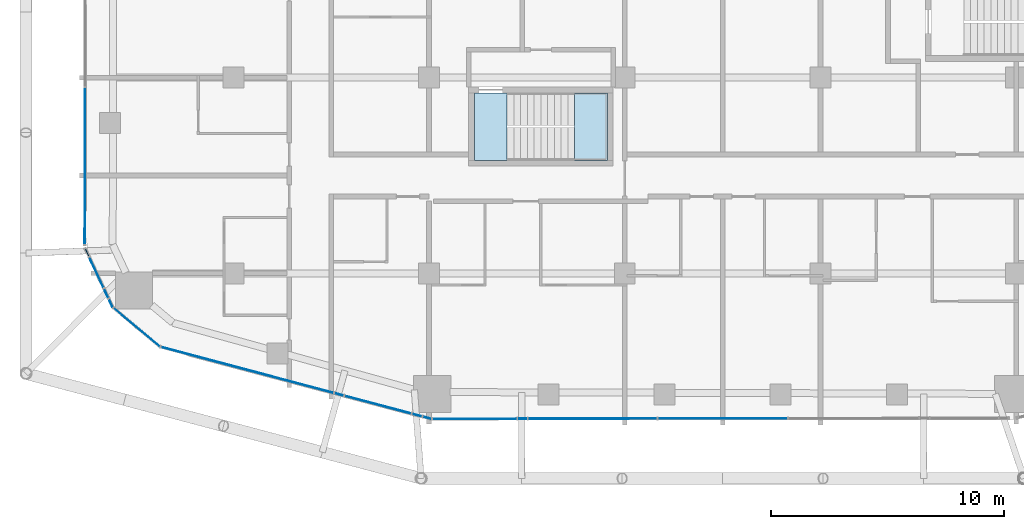
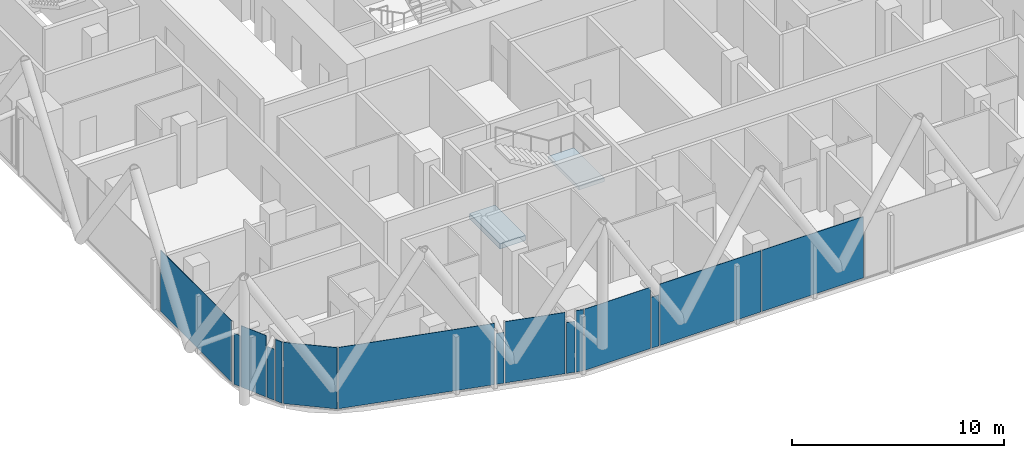
# One storey, part 19 of 36: 15 plates, 2 slabs, 15 elements without a shape of their own.
"""IFC4 building model written with IfcOpenShell, lengths in metres."""

from ifc_helpers import new_model, si_unit, direction, frame, origin, origin_2d, place, context, subcontext, project, spatial, polyline, rectangle, outline, extrude, material, layer, layer_set, type_object, element, aggregate, save


model = new_model("IFC4")

# Units and contexts
model_context = context("Model", 3, precision=1e-05, world=origin(), true_north=direction((0.0, 1.0)))
body_context = subcontext(model_context, "Body", "Model", "MODEL_VIEW")
ifc_project = project(units=[si_unit("LENGTHUNIT", "METRE"), si_unit("AREAUNIT", "SQUARE_METRE"), si_unit("VOLUMEUNIT", "CUBIC_METRE"), si_unit("PLANEANGLEUNIT", "RADIAN"), si_unit("MASSUNIT", "GRAM", prefix="KILO")], contexts=[model_context])

# Site, building, storey
site_placement = place(None, origin())
site = spatial("IfcSite", under=ifc_project, at=site_placement, CompositionType="ELEMENT")
building_placement = place(site_placement, origin())
building = spatial("IfcBuilding", under=site, at=building_placement, Name="Marenta Gate Hotel Tower", CompositionType="ELEMENT")
storey_placement = place(building_placement, frame((0.0, 0.0, 130.10009765625)))
storey = spatial("IfcBuildingStorey", under=building, at=storey_placement, Name="L29", CompositionType="ELEMENT", Elevation=130.10009765625)

# Curtain wall, plate
ifc_material_1 = material(Name="Tinted insulated glass in bronze anodised frame", Category="glass")
ifc_layer_1 = layer(ifc_material_1, 0.1201171875)
ifc_layer_set_1 = layer_set([ifc_layer_1], Name="Tinted insulated glass in bronze anodised frame")
curtain_wall_type = type_object("IfcCurtainWallType", Name="Tower unitised curtain wall CW1", PredefinedType="NOTDEFINED", material=ifc_layer_set_1)
curtain_wall_1_placement = place(storey_placement, origin())
curtain_wall_1 = element("IfcCurtainWall", 1, at=curtain_wall_1_placement, inside=storey, type_object=curtain_wall_type, Name="CW1 run G08", PredefinedType="NOTDEFINED")
ifc_material_2 = material(Name="Tinted insulated glass", Category="glass")
ifc_layer_2 = layer(ifc_material_2, 0.028076171875)
ifc_layer_set_2 = layer_set([ifc_layer_2], Name="Tinted insulated glass")
plate_type = type_object("IfcPlateType", Name="Glass panel CW1 28 mm tinted insulated unit", PredefinedType="CURTAIN_PANEL", material=ifc_layer_set_2)
plate_1_placement = place(storey_placement, frame((-27.367431640625, -12.190185546875, 0.059814453125), z_axis=(0.0, 0.0, 1.0), x_axis=(-0.001564882094, -0.999998775571, 0.0)))
plate_1 = element("IfcPlate", 2, at=plate_1_placement, type_object=plate_type, Name="CW1 panel 3.1", PredefinedType="CURTAIN_PANEL", context=body_context, shape_type="SweptSolid", body=[
    extrude(rectangle(XDim=6.726318359375, YDim=0.028076171875, at=origin_2d()), origin(), (0.0, 0.0, 1.0), 3.5400390625),
])
aggregate(curtain_wall_1, [plate_1])

curtain_wall_2_placement = place(storey_placement, origin())
curtain_wall_2 = element("IfcCurtainWall", 3, at=curtain_wall_2_placement, inside=storey, type_object=curtain_wall_type, Name="CW1 run G09", PredefinedType="NOTDEFINED")
plate_2_placement = place(storey_placement, frame((-27.274658203125, -15.904296875, 0.06005859375), z_axis=(0.0, 0.0, 1.0), x_axis=(0.423345141478, -0.905968482447, 0.0)))
plate_2 = element("IfcPlate", 4, at=plate_2_placement, type_object=plate_type, Name="CW1 panel 1.1", PredefinedType="CURTAIN_PANEL", context=body_context, shape_type="SweptSolid", body=[
    extrude(rectangle(XDim=0.344970703125, YDim=0.028076171875, at=origin_2d()), origin(), (0.0, 0.0, 1.0), 2.9404296875),
])
aggregate(curtain_wall_2, [plate_2])

curtain_wall_3_placement = place(storey_placement, origin())
curtain_wall_3 = element("IfcCurtainWall", 5, at=curtain_wall_3_placement, inside=storey, type_object=curtain_wall_type, Name="CW1 run G10", PredefinedType="NOTDEFINED")
plate_3_placement = place(storey_placement, frame((-26.872802734375, -16.76416015625, 0.059814453125), z_axis=(0.0, 0.0, 1.0), x_axis=(0.423347389488, -0.905967431983, 0.0)))
plate_3 = element("IfcPlate", 6, at=plate_3_placement, type_object=plate_type, Name="CW1 panel 1.1", PredefinedType="CURTAIN_PANEL", context=body_context, shape_type="SweptSolid", body=[
    extrude(rectangle(XDim=1.43310546875, YDim=0.028076171875, at=origin_2d()), origin(), (0.0, 0.0, 1.0), 3.5400390625),
])
aggregate(curtain_wall_3, [plate_3])

curtain_wall_4_placement = place(storey_placement, origin())
curtain_wall_4 = element("IfcCurtainWall", 7, at=curtain_wall_4_placement, inside=storey, type_object=curtain_wall_type, Name="CW1 run G11", PredefinedType="NOTDEFINED")
plate_4_placement = place(storey_placement, frame((-26.45458984375, -17.6591796875, 0.06005859375), z_axis=(0.0, 0.0, 1.0), x_axis=(0.423361641148, -0.905960772222, 0.0)))
plate_4 = element("IfcPlate", 8, at=plate_4_placement, type_object=plate_type, Name="CW1 panel 1.1", PredefinedType="CURTAIN_PANEL", context=body_context, shape_type="SweptSolid", body=[
    extrude(rectangle(XDim=0.4228515625, YDim=0.028076171875, at=origin_2d()), origin(), (0.0, 0.0, 1.0), 2.9404296875),
])
aggregate(curtain_wall_4, [plate_4])

curtain_wall_5_placement = place(storey_placement, origin())
curtain_wall_5 = element("IfcCurtainWall", 9, at=curtain_wall_5_placement, inside=storey, type_object=curtain_wall_type, Name="CW1 run G12", PredefinedType="NOTDEFINED")
plate_5_placement = place(storey_placement, frame((-26.25732421875, -18.081298828125, 0.059814453125), z_axis=(0.0, 0.0, 1.0), x_axis=(0.42327548639, -0.906001027936, 0.0)))
plate_5 = element("IfcPlate", 10, at=plate_5_placement, type_object=plate_type, Name="CW1 panel 1.1", PredefinedType="CURTAIN_PANEL", context=body_context, shape_type="SweptSolid", body=[
    extrude(rectangle(XDim=0.38916015625, YDim=0.028076171875, at=origin_2d()), origin(), (0.0, 0.0, 1.0), 3.5400390625),
])
aggregate(curtain_wall_5, [plate_5])

curtain_wall_6_placement = place(storey_placement, origin())
curtain_wall_6 = element("IfcCurtainWall", 11, at=curtain_wall_6_placement, inside=storey, type_object=curtain_wall_type, Name="CW1 run G13", PredefinedType="NOTDEFINED")
plate_6_placement = place(storey_placement, frame((-25.14111328125, -19.1220703125, 0.059814453125), z_axis=(0.0, 0.0, 1.0), x_axis=(0.767112858807, -0.641512168126, 0.0)))
plate_6 = element("IfcPlate", 12, at=plate_6_placement, type_object=plate_type, Name="CW1 panel 1.1", PredefinedType="CURTAIN_PANEL", context=body_context, shape_type="SweptSolid", body=[
    extrude(rectangle(XDim=2.5751953125, YDim=0.028076171875, at=origin_2d()), origin(), (0.0, 0.0, 1.0), 3.5400390625),
])
aggregate(curtain_wall_6, [plate_6])

curtain_wall_7_placement = place(storey_placement, origin())
curtain_wall_7 = element("IfcCurtainWall", 13, at=curtain_wall_7_placement, inside=storey, type_object=curtain_wall_type, Name="CW1 run G14", PredefinedType="NOTDEFINED")
plate_7_placement = place(storey_placement, frame((-20.40185546875, -20.946533203125, 0.059814453125), z_axis=(0.0, 0.0, 1.0), x_axis=(0.96637246488, -0.257146376841, 0.0)))
plate_7 = element("IfcPlate", 14, at=plate_7_placement, type_object=plate_type, Name="CW1 panel 1.1", PredefinedType="CURTAIN_PANEL", context=body_context, shape_type="SweptSolid", body=[
    extrude(rectangle(XDim=7.644287109375, YDim=0.028076171875, at=origin_2d()), origin(), (0.0, 0.0, 1.0), 3.5400390625),
])
aggregate(curtain_wall_7, [plate_7])

curtain_wall_8_placement = place(storey_placement, origin())
curtain_wall_8 = element("IfcCurtainWall", 15, at=curtain_wall_8_placement, inside=storey, type_object=curtain_wall_type, Name="CW1 run G15", PredefinedType="NOTDEFINED")
plate_8_placement = place(storey_placement, frame((-16.46044921875, -21.995361328125, 0.06005859375), z_axis=(0.0, 0.0, 1.0), x_axis=(0.966370359942, -0.257154287199, 0.0)))
plate_8 = element("IfcPlate", 16, at=plate_8_placement, type_object=plate_type, Name="CW1 panel 1.1", PredefinedType="CURTAIN_PANEL", context=body_context, shape_type="SweptSolid", body=[
    extrude(rectangle(XDim=0.39306640625, YDim=0.028076171875, at=origin_2d()), origin(), (0.0, 0.0, 1.0), 2.9404296875),
])
aggregate(curtain_wall_8, [plate_8])

curtain_wall_9_placement = place(storey_placement, origin())
curtain_wall_9 = element("IfcCurtainWall", 17, at=curtain_wall_9_placement, inside=storey, type_object=curtain_wall_type, Name="CW1 run G16", PredefinedType="NOTDEFINED")
plate_9_placement = place(storey_placement, frame((-14.794921875, -22.4384765625, 0.059814453125), z_axis=(0.0, 0.0, 1.0), x_axis=(0.966375613628, -0.257134543351, 0.0)))
plate_9 = element("IfcPlate", 18, at=plate_9_placement, type_object=plate_type, Name="CW1 panel 1.1", PredefinedType="CURTAIN_PANEL", context=body_context, shape_type="SweptSolid", body=[
    extrude(rectangle(XDim=2.933837890625, YDim=0.028076171875, at=origin_2d()), origin(), (0.0, 0.0, 1.0), 3.5400390625),
])
aggregate(curtain_wall_9, [plate_9])

curtain_wall_10_placement = place(storey_placement, origin())
curtain_wall_10 = element("IfcCurtainWall", 19, at=curtain_wall_10_placement, inside=storey, type_object=curtain_wall_type, Name="CW1 run G17", PredefinedType="NOTDEFINED")
plate_10_placement = place(storey_placement, frame((-13.11669921875, -22.885009765625, 0.06005859375), z_axis=(0.0, 0.0, 1.0), x_axis=(0.966404263523, -0.257026845764, 0.0)))
plate_10 = element("IfcPlate", 20, at=plate_10_placement, type_object=plate_type, Name="CW1 panel 1.1", PredefinedType="CURTAIN_PANEL", context=body_context, shape_type="SweptSolid", body=[
    extrude(rectangle(XDim=0.419677734375, YDim=0.028076171875, at=origin_2d()), origin(), (0.0, 0.0, 1.0), 2.9404296875),
])
aggregate(curtain_wall_10, [plate_10])

curtain_wall_11_placement = place(storey_placement, origin())
curtain_wall_11 = element("IfcCurtainWall", 21, at=curtain_wall_11_placement, inside=storey, type_object=curtain_wall_type, Name="CW1 run G18", PredefinedType="NOTDEFINED")
plate_11_placement = place(storey_placement, frame((-12.680908203125, -23.0009765625, 0.059814453125), z_axis=(0.0, 0.0, 1.0), x_axis=(0.966337096576, -0.257279256414, 0.0)))
plate_11 = element("IfcPlate", 22, at=plate_11_placement, type_object=plate_type, Name="CW1 panel 1.1", PredefinedType="CURTAIN_PANEL", context=body_context, shape_type="SweptSolid", body=[
    extrude(rectangle(XDim=0.362060546875, YDim=0.028076171875, at=origin_2d()), origin(), (0.0, 0.0, 1.0), 3.5400390625),
])
aggregate(curtain_wall_11, [plate_11])

curtain_wall_12_placement = place(storey_placement, origin())
curtain_wall_12 = element("IfcCurtainWall", 23, at=curtain_wall_12_placement, inside=storey, type_object=curtain_wall_type, Name="CW1 run G19", PredefinedType="NOTDEFINED")
plate_12_placement = place(storey_placement, frame((-10.64501953125, -23.044921875, 0.059814453125), z_axis=(0.0, 0.0, 1.0), x_axis=(0.999999067674, 0.001365521987, 0.0)))
plate_12 = element("IfcPlate", 24, at=plate_12_placement, type_object=plate_type, Name="CW1 panel 1.1", PredefinedType="CURTAIN_PANEL", context=body_context, shape_type="SweptSolid", body=[
    extrude(rectangle(XDim=3.6015625, YDim=0.028076171875, at=origin_2d()), origin(), (0.0, 0.0, 1.0), 3.5400390625),
])
aggregate(curtain_wall_12, [plate_12])

curtain_wall_13_placement = place(storey_placement, origin())
curtain_wall_13 = element("IfcCurtainWall", 25, at=curtain_wall_13_placement, inside=storey, type_object=curtain_wall_type, Name="CW1 run G20", PredefinedType="NOTDEFINED")
plate_13_placement = place(storey_placement, frame((-8.587890625, -23.042236328125, 0.06005859375), z_axis=(0.0, 0.0, 1.0), x_axis=(0.999999122847, 0.001324502144, 0.0)))
plate_13 = element("IfcPlate", 26, at=plate_13_placement, type_object=plate_type, Name="CW1 panel 1.1", PredefinedType="CURTAIN_PANEL", context=body_context, shape_type="SweptSolid", body=[
    extrude(rectangle(XDim=0.39306640625, YDim=0.028076171875, at=origin_2d()), origin(), (0.0, 0.0, 1.0), 2.9404296875),
])
aggregate(curtain_wall_13, [plate_13])

# Curtain wall, plates
curtain_wall_14_placement = place(storey_placement, origin())
curtain_wall_14 = element("IfcCurtainWall", 27, at=curtain_wall_14_placement, inside=storey, type_object=curtain_wall_type, Name="CW1 run G21", PredefinedType="NOTDEFINED")
plate_14_placement = place(storey_placement, frame((-5.576416015625, -23.0380859375, 0.059814453125), z_axis=(0.0, 0.0, 1.0), x_axis=(0.999999070887, 0.001363166999, 0.0)))
plate_14 = element("IfcPlate", 28, at=plate_14_placement, type_object=plate_type, Name="CW1 panel 1.1", PredefinedType="CURTAIN_PANEL", context=body_context, shape_type="SweptSolid", body=[
    extrude(rectangle(XDim=5.509765625, YDim=0.028076171875, at=origin_2d()), origin(), (0.0, 0.0, 1.0), 3.5400390625),
])
plate_15_placement = place(storey_placement, frame((0.00830078125, -23.030517578125, 0.059814453125), z_axis=(0.0, 0.0, 1.0), x_axis=(0.999999070887, 0.001363166999, 0.0)))
plate_15 = element("IfcPlate", 29, at=plate_15_placement, type_object=plate_type, Name="CW1 panel 2.1", PredefinedType="CURTAIN_PANEL", context=body_context, shape_type="SweptSolid", body=[
    extrude(rectangle(XDim=5.539794921875, YDim=0.028076171875, at=origin_2d()), origin(), (0.0, 0.0, 1.0), 3.5400390625),
])
aggregate(curtain_wall_14, [plate_14, plate_15])

# Stair, slab
ifc_material_3 = material(Name="Concrete C40", Category="concrete")
stair_type = type_object("IfcStairType", Name="Remote exit stair 1400 wide", PredefinedType="HALF_TURN_STAIR", material=ifc_material_3)
stair_placement = place(storey_placement, origin())
stair = element("IfcStair", 30, at=stair_placement, inside=storey, type_object=stair_type, Name="Exit stair RS-Z2-1", PredefinedType="HALF_TURN_STAIR")
ifc_material_4 = material(Name="Concrete C40", Category="concrete")
ifc_layer_3 = layer(ifc_material_4, 0.199951171875)
ifc_layer_set_3 = layer_set([ifc_layer_3], Name="Concrete C40")
slab_type_1 = type_object("IfcSlabType", Name="Remote stair landing 200", PredefinedType="LANDING", material=ifc_layer_set_3)
slab_1_placement = place(storey_placement, frame((0.0, 0.0, 1.599853515625)))
slab_1 = element("IfcSlab", 31, at=slab_1_placement, type_object=slab_type_1, Name="RL-200 RS-Z2-1 landing 1", PredefinedType="LANDING", context=body_context, shape_type="SweptSolid", body=[
    extrude(outline(polyline([(-6.35009765625, -11.949951171875), (-4.949951171875, -11.949951171875), (-4.949951171875, -9.050048828125), (-6.35009765625, -9.050048828125), (-6.35009765625, -11.949951171875)])), origin(), (0.0, 0.0, 1.0), 0.199951171875),
])
aggregate(stair, [slab_1])

# Slab
ifc_material_5 = material(Name="Concrete C40", Category="concrete")
ifc_layer_4 = layer(ifc_material_5, 0.300048828125)
ifc_layer_set_4 = layer_set([ifc_layer_4], Name="Concrete C40")
slab_type_2 = type_object("IfcSlabType", Name="Stair floor landing slab 300", PredefinedType="FLOOR", material=ifc_layer_set_4)
slab_2_placement = place(storey_placement, frame((0.0, 0.0, -0.300048828125)))
element("IfcSlab", 32, at=slab_2_placement, inside=storey, type_object=slab_type_2, Name="L29-RS-Z2-1-CL", PredefinedType="FLOOR", context=body_context, shape_type="SweptSolid", body=[
    extrude(outline(polyline([(-9.25, -11.949951171875), (-9.25, -9.050048828125), (-10.64990234375, -9.050048828125), (-10.64990234375, -11.949951171875), (-9.25, -11.949951171875)])), origin(), (0.0, 0.0, 1.0), 0.300048828125),
])

save(model, "model.ifc")
